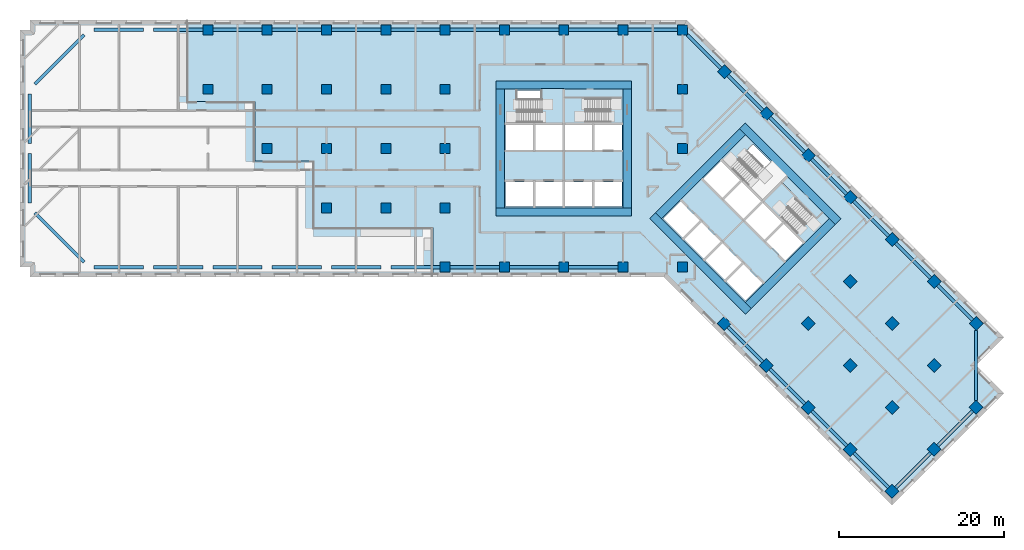
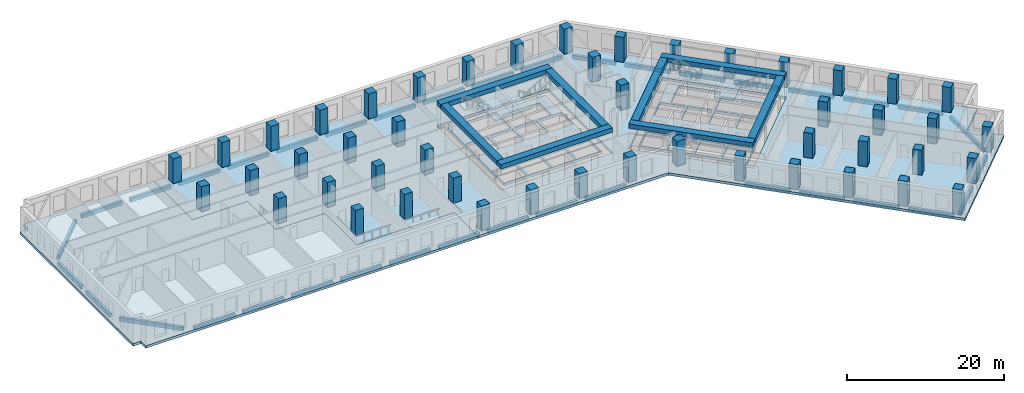
# One storey, part 1 of 12: 48 columns, 45 beams, 7 slabs, 22 openings, 3 elements without a shape of their own.
"""IFC4 building model written with IfcOpenShell, lengths in metres."""

from ifc_helpers import new_model, si_unit, direction, frame, origin, origin_2d, place, context, subcontext, project, spatial, polyline, rectangle, outline, extrude, material, layer, layer_set, material_profile, profile_set, type_object, element, aggregate, save


model = new_model("IFC4")

# Units and contexts
model_context = context("Model", 3, precision=1e-05, world=origin(), true_north=direction((0.0, 1.0)))
body_context = subcontext(model_context, "Body", "Model", "MODEL_VIEW")
ifc_project = project(units=[si_unit("LENGTHUNIT", "METRE"), si_unit("AREAUNIT", "SQUARE_METRE"), si_unit("VOLUMEUNIT", "CUBIC_METRE"), si_unit("PLANEANGLEUNIT", "RADIAN"), si_unit("MASSUNIT", "GRAM", prefix="KILO")], contexts=[model_context])

# Site, building, storey
site_placement = place(None, origin())
site = spatial("IfcSite", under=ifc_project, at=site_placement, CompositionType="ELEMENT")
building_placement = place(site_placement, origin())
building = spatial("IfcBuilding", under=site, at=building_placement, Name="Windrow Commons", CompositionType="ELEMENT")
storey_placement = place(building_placement, frame((0.0, 0.0, 22.8)))
storey = spatial("IfcBuildingStorey", under=building, at=storey_placement, Name="L05", CompositionType="ELEMENT", Elevation=22.8)

# Columns
ifc_material_1 = material(Name="Concrete C60/75", Category="concrete")
ifc_material_profile_1 = material_profile(ifc_material_1, rectangle(XDim=1.2, YDim=1.2, at=origin_2d()))
ifc_profile_set_1 = profile_set([ifc_material_profile_1], Name="Concrete C60/75")
column_type = type_object("IfcColumnType", Name="RC COLUMN 1200x1200 C60/75", PredefinedType="COLUMN", material=ifc_profile_set_1)
for number, where, z_axis, x_axis, name in (
    (1, (21.6, 64.8, 0.0), (0.0, 0.0, 1.0), (1.0, 0.0, 0.0), "C-P-04I"),
    (2, (21.6, 72.0, 0.0), (0.0, 0.0, 1.0), (1.0, 0.0, 0.0), "C-P-04J"),
    (3, (28.8, 57.6, 0.0), (0.0, 0.0, 1.0), (1.0, 0.0, 0.0), "C-P-05H"),
    (4, (28.8, 64.8, 0.0), (0.0, 0.0, 1.0), (1.0, 0.0, 0.0), "C-P-05I"),
    (5, (28.8, 72.0, 0.0), (0.0, 0.0, 1.0), (1.0, 0.0, 0.0), "C-P-05J"),
    (6, (36.0, 50.4, 0.0), (0.0, 0.0, 1.0), (1.0, 0.0, 0.0), "C-P-06G"),
    (7, (36.0, 57.6, 0.0), (0.0, 0.0, 1.0), (1.0, 0.0, 0.0), "C-P-06H"),
    (8, (36.0, 64.8, 0.0), (0.0, 0.0, 1.0), (1.0, 0.0, 0.0), "C-P-06I"),
    (9, (36.0, 72.0, 0.0), (0.0, 0.0, 1.0), (1.0, 0.0, 0.0), "C-P-06J"),
    (10, (43.2, 50.4, 0.0), (0.0, 0.0, 1.0), (1.0, 0.0, 0.0), "C-P-07G"),
    (11, (43.2, 57.6, 0.0), (0.0, 0.0, 1.0), (1.0, 0.0, 0.0), "C-P-07H"),
    (12, (43.2, 64.8, 0.0), (0.0, 0.0, 1.0), (1.0, 0.0, 0.0), "C-P-07I"),
    (13, (43.2, 72.0, 0.0), (0.0, 0.0, 1.0), (1.0, 0.0, 0.0), "C-P-07J"),
    (14, (50.4, 43.2, 0.0), (0.0, 0.0, 1.0), (1.0, 0.0, 0.0), "C-P-08F"),
    (15, (50.4, 50.4, 0.0), (0.0, 0.0, 1.0), (1.0, 0.0, 0.0), "C-P-08G"),
    (16, (50.4, 57.6, 0.0), (0.0, 0.0, 1.0), (1.0, 0.0, 0.0), "C-P-08H"),
    (17, (50.4, 64.8, 0.0), (0.0, 0.0, 1.0), (1.0, 0.0, 0.0), "C-P-08I"),
    (18, (50.4, 72.0, 0.0), (0.0, 0.0, 1.0), (1.0, 0.0, 0.0), "C-P-08J"),
    (19, (57.6, 43.2, 0.0), (0.0, 0.0, 1.0), (1.0, 0.0, 0.0), "C-P-09F"),
    (20, (57.6, 72.0, 0.0), (0.0, 0.0, 1.0), (1.0, 0.0, 0.0), "C-P-09J"),
    (21, (64.8, 43.2, 0.0), (0.0, 0.0, 1.0), (1.0, 0.0, 0.0), "C-P-10F"),
    (22, (64.8, 72.0, 0.0), (0.0, 0.0, 1.0), (1.0, 0.0, 0.0), "C-P-10J"),
    (23, (72.0, 43.2, 0.0), (0.0, 0.0, 1.0), (1.0, 0.0, 0.0), "C-P-11F"),
    (24, (72.0, 72.0, 0.0), (0.0, 0.0, 1.0), (1.0, 0.0, 0.0), "C-P-11J"),
    (25, (79.2, 43.2, 0.0), (0.0, 0.0, 1.0), (1.0, 0.0, 0.0), "C-P-12F"),
    (26, (79.2, 57.6, 0.0), (0.0, 0.0, 1.0), (1.0, 0.0, 0.0), "C-P-12H"),
    (27, (79.2, 64.8, 0.0), (0.0, 0.0, 1.0), (1.0, 0.0, 0.0), "C-P-12I"),
    (28, (79.2, 72.0, 0.0), (0.0, 0.0, 1.0), (1.0, 0.0, 0.0), "C-P-12J"),
    (29, (84.2912, 66.9088, 0.0), (0.0, 0.0, 1.0), (0.7071067812, -0.7071067812, 0.0), "C-P-P2Q"),
    (30, (89.3823, 61.8177, 0.0), (0.0, 0.0, 1.0), (0.7071067812, -0.7071067812, 0.0), "C-P-P3Q"),
    (31, (94.4735, 56.7265, 0.0), (0.0, 0.0, 1.0), (0.7071067812, -0.7071067812, 0.0), "C-P-P4Q"),
    (32, (99.5647, 51.6353, 0.0), (0.0, 0.0, 1.0), (0.7071067812, -0.7071067812, 0.0), "C-P-P5Q"),
    (33, (84.2912, 36.3618, 0.0), (0.0, 0.0, 1.0), (0.7071067812, -0.7071067812, 0.0), "C-P-P5T"),
    (34, (104.6558, 46.5442, 0.0), (0.0, 0.0, 1.0), (0.7071067812, -0.7071067812, 0.0), "C-P-P6Q"),
    (35, (99.5647, 41.453, 0.0), (0.0, 0.0, 1.0), (0.7071067812, -0.7071067812, 0.0), "C-P-P6R"),
    (36, (94.4735, 36.3618, 0.0), (0.0, 0.0, 1.0), (0.7071067812, -0.7071067812, 0.0), "C-P-P6S"),
    (37, (89.3823, 31.2706, 0.0), (0.0, 0.0, 1.0), (0.7071067812, -0.7071067812, 0.0), "C-P-P6T"),
    (38, (109.747, 41.453, 0.0), (0.0, 0.0, 1.0), (0.7071067812, -0.7071067812, 0.0), "C-P-P7Q"),
    (39, (104.6558, 36.3618, 0.0), (0.0, 0.0, 1.0), (0.7071067812, -0.7071067812, 0.0), "C-P-P7R"),
    (40, (99.5647, 31.2706, 0.0), (0.0, 0.0, 1.0), (0.7071067812, -0.7071067812, 0.0), "C-P-P7S"),
    (41, (94.4735, 26.1795, 0.0), (0.0, 0.0, 1.0), (0.7071067812, -0.7071067812, 0.0), "C-P-P7T"),
    (42, (114.8382, 36.3618, 0.0), (0.0, 0.0, 1.0), (0.7071067812, -0.7071067812, 0.0), "C-P-P8Q"),
    (43, (109.747, 31.2706, 0.0), (0.0, 0.0, 1.0), (0.7071067812, -0.7071067812, 0.0), "C-P-P8R"),
    (44, (104.6558, 26.1795, 0.0), (0.0, 0.0, 1.0), (0.7071067812, -0.7071067812, 0.0), "C-P-P8S"),
    (45, (99.5647, 21.0883, 0.0), (0.0, 0.0, 1.0), (0.7071067812, -0.7071067812, 0.0), "C-P-P8T"),
    (46, (114.8382, 26.1795, 0.0), (0.0, 0.0, 1.0), (0.7071067812, -0.7071067812, 0.0), "C-P-P9R"),
    (47, (109.747, 21.0883, 0.0), (0.0, 0.0, 1.0), (0.7071067812, -0.7071067812, 0.0), "C-P-P9S"),
    (48, (104.6558, 15.9971, 0.0), (0.0, 0.0, 1.0), (0.7071067812, -0.7071067812, 0.0), "C-P-P9T"),
):
    element("IfcColumn", number, at=place(storey_placement, frame(where, z_axis=z_axis, x_axis=x_axis)), inside=storey, type_object=column_type, Name=name, PredefinedType="COLUMN", context=body_context, shape_type="SweptSolid", body=[
        extrude(rectangle(XDim=1.2, YDim=1.2, at=origin_2d()), origin(), (0.0, 0.0, 1.0), 3.9),
    ])

# Beams
ifc_material_2 = material(Name="Concrete C60/75", Category="concrete")
ifc_material_profile_2 = material_profile(ifc_material_2, rectangle(XDim=1.0, YDim=0.7, at=origin_2d()))
ifc_profile_set_2 = profile_set([ifc_material_profile_2], Name="Concrete C60/75")
beam_type_1 = type_object("IfcBeamType", Name="RC COUPLING BEAM 1000x700 C60/75", PredefinedType="LINTEL", material=ifc_profile_set_2)
for number, where, z_axis, x_axis, name in (
    (49, (56.6, 49.9, 3.55), (1.0, 0.0, 0.0), (0.0, 1.0, 0.0), "Core A coupling beam outer-S"),
    (50, (56.6, 65.3, 3.55), (1.0, 0.0, 0.0), (0.0, 1.0, 0.0), "Core A coupling beam outer-N"),
):
    element("IfcBeam", number, at=place(storey_placement, frame(where, z_axis=z_axis, x_axis=x_axis)), inside=storey, type_object=beam_type_1, Name=name, PredefinedType="LINTEL", context=body_context, shape_type="SweptSolid", body=[
        extrude(rectangle(XDim=1.0, YDim=0.7, at=origin_2d()), origin(), (0.0, 0.0, 1.0), 16.4),
    ])
for number, where, z_axis, x_axis, name in (
    (51, (57.1, 50.4, 3.55), (0.0, 1.0, 0.0), (-1.0, 0.0, 0.0), "Core A coupling beam outer-W"),
    (52, (72.5, 50.4, 3.55), (0.0, 1.0, 0.0), (-1.0, 0.0, 0.0), "Core A coupling beam outer-E"),
):
    element("IfcBeam", number, at=place(storey_placement, frame(where, z_axis=z_axis, x_axis=x_axis)), inside=storey, type_object=beam_type_1, Name=name, PredefinedType="LINTEL", context=body_context, shape_type="SweptSolid", body=[
        extrude(rectangle(XDim=1.0, YDim=0.7, at=origin_2d()), origin(), (0.0, 0.0, 1.0), 14.4),
    ])
for number, where, z_axis, x_axis, name in (
    (53, (75.5938, 49.4433, 3.55), (0.7071037324, -0.70710983, 0.0), (0.70710983, 0.7071037324, 0.0), "Core B coupling beam outer-S"),
    (54, (86.4832, 60.3327, 3.55), (0.70710983, -0.7071037324, 0.0), (0.7071037324, 0.70710983, 0.0), "Core B coupling beam outer-N"),
):
    element("IfcBeam", number, at=place(storey_placement, frame(where, z_axis=z_axis, x_axis=x_axis)), inside=storey, type_object=beam_type_1, Name=name, PredefinedType="LINTEL", context=body_context, shape_type="SweptSolid", body=[
        extrude(rectangle(XDim=1.0, YDim=0.7, at=origin_2d()), origin(), (0.0, 0.0, 1.0), 16.4),
    ])
beam_1_placement = place(storey_placement, frame((76.3009, 49.4433, 3.55), z_axis=(0.7071067812, 0.7071067812, 0.0), x_axis=(-0.7071067812, 0.7071067812, 0.0)))
element("IfcBeam", 55, at=beam_1_placement, inside=storey, type_object=beam_type_1, Name="Core B coupling beam outer-W", PredefinedType="LINTEL", context=body_context, shape_type="SweptSolid", body=[
    extrude(rectangle(XDim=1.0, YDim=0.7, at=origin_2d()), origin(), (0.0, 0.0, 1.0), 14.3999),
])
beam_2_placement = place(storey_placement, frame((87.1903, 38.5538, 3.55), z_axis=(0.707103309, 0.7071102534, 0.0), x_axis=(-0.7071102534, 0.707103309, 0.0)))
element("IfcBeam", 56, at=beam_2_placement, inside=storey, type_object=beam_type_1, Name="Core B coupling beam outer-E", PredefinedType="LINTEL", context=body_context, shape_type="SweptSolid", body=[
    extrude(rectangle(XDim=1.0, YDim=0.7, at=origin_2d()), origin(), (0.0, 0.0, 1.0), 14.4),
])
ifc_material_3 = material(Name="Concrete C60/75", Category="concrete")
ifc_material_profile_3 = material_profile(ifc_material_3, rectangle(XDim=0.4, YDim=0.6, at=origin_2d()))
ifc_profile_set_3 = profile_set([ifc_material_profile_3], Name="Concrete C60/75")
beam_type_2 = type_object("IfcBeamType", Name="RC EDGE BEAM 400x600 C60/75", PredefinedType="SPANDREL", material=ifc_profile_set_3)
for number, where, z_axis, x_axis, name in (
    (57, (28.2, 43.2, -0.7), (-1.0, 0.0, 0.0), (0.0, -1.0, 0.0), "Edge beam L05 001"),
    (58, (21.0, 43.2, -0.7), (-1.0, 0.0, 0.0), (0.0, -1.0, 0.0), "Edge beam L05 002"),
    (59, (13.8, 43.2, -0.7), (-1.0, 0.0, 0.0), (0.0, -1.0, 0.0), "Edge beam L05 003"),
):
    element("IfcBeam", number, at=place(storey_placement, frame(where, z_axis=z_axis, x_axis=x_axis)), inside=storey, type_object=beam_type_2, Name=name, PredefinedType="SPANDREL", context=body_context, shape_type="SweptSolid", body=[
        extrude(rectangle(XDim=0.4, YDim=0.6, at=origin_2d()), origin(), (0.0, 0.0, 1.0), 6.0),
    ])
beam_3_placement = place(storey_placement, frame((6.6, 43.8, -0.7), z_axis=(-0.7071067812, 0.7071067812, 0.0), x_axis=(-0.7071067812, -0.7071067812, 0.0)))
element("IfcBeam", 60, at=beam_3_placement, inside=storey, type_object=beam_type_2, Name="Edge beam L05 004", PredefinedType="SPANDREL", context=body_context, shape_type="SweptSolid", body=[
    extrude(rectangle(XDim=0.4, YDim=0.6, at=origin_2d()), origin(), (0.0, 0.0, 1.0), 8.4853),
])
for number, where, z_axis, x_axis, name in (
    (61, (0.0, 51.0, -0.7), (0.0, 1.0, 0.0), (-1.0, 0.0, 0.0), "Edge beam L05 005"),
    (62, (0.0, 58.2, -0.7), (0.0, 1.0, 0.0), (-1.0, 0.0, 0.0), "Edge beam L05 006"),
):
    element("IfcBeam", number, at=place(storey_placement, frame(where, z_axis=z_axis, x_axis=x_axis)), inside=storey, type_object=beam_type_2, Name=name, PredefinedType="SPANDREL", context=body_context, shape_type="SweptSolid", body=[
        extrude(rectangle(XDim=0.4, YDim=0.6, at=origin_2d()), origin(), (0.0, 0.0, 1.0), 6.0),
    ])
beam_4_placement = place(storey_placement, frame((0.6, 65.4, -0.7), z_axis=(0.7071067812, 0.7071067812, 0.0), x_axis=(-0.7071067812, 0.7071067812, 0.0)))
element("IfcBeam", 63, at=beam_4_placement, inside=storey, type_object=beam_type_2, Name="Edge beam L05 007", PredefinedType="SPANDREL", context=body_context, shape_type="SweptSolid", body=[
    extrude(rectangle(XDim=0.4, YDim=0.6, at=origin_2d()), origin(), (0.0, 0.0, 1.0), 8.4853),
])
for number, where, z_axis, x_axis, name in (
    (64, (7.8, 72.0, -0.7), (1.0, 0.0, 0.0), (0.0, 1.0, 0.0), "Edge beam L05 008"),
    (65, (15.0, 72.0, -0.7), (1.0, 0.0, 0.0), (0.0, 1.0, 0.0), "Edge beam L05 009"),
    (66, (22.2, 72.0, -0.7), (1.0, 0.0, 0.0), (0.0, 1.0, 0.0), "Edge beam L05 010"),
    (67, (29.4, 72.0, -0.7), (1.0, 0.0, 0.0), (0.0, 1.0, 0.0), "Edge beam L05 011"),
    (68, (36.6, 72.0, -0.7), (1.0, 0.0, 0.0), (0.0, 1.0, 0.0), "Edge beam L05 012"),
    (69, (43.8, 72.0, -0.7), (1.0, 0.0, 0.0), (0.0, 1.0, 0.0), "Edge beam L05 013"),
    (70, (51.0, 72.0, -0.7), (1.0, 0.0, 0.0), (0.0, 1.0, 0.0), "Edge beam L05 014"),
    (71, (58.2, 72.0, -0.7), (1.0, 0.0, 0.0), (0.0, 1.0, 0.0), "Edge beam L05 015"),
    (72, (65.4, 72.0, -0.7), (1.0, 0.0, 0.0), (0.0, 1.0, 0.0), "Edge beam L05 016"),
    (73, (72.6, 72.0, -0.7), (1.0, 0.0, 0.0), (0.0, 1.0, 0.0), "Edge beam L05 017"),
):
    element("IfcBeam", number, at=place(storey_placement, frame(where, z_axis=z_axis, x_axis=x_axis)), inside=storey, type_object=beam_type_2, Name=name, PredefinedType="SPANDREL", context=body_context, shape_type="SweptSolid", body=[
        extrude(rectangle(XDim=0.4, YDim=0.6, at=origin_2d()), origin(), (0.0, 0.0, 1.0), 6.0),
    ])
beam_5_placement = place(storey_placement, frame((79.8, 71.4, -0.7), z_axis=(0.7071067812, -0.7071067812, 0.0), x_axis=(0.7071067812, 0.7071067812, 0.0)))
element("IfcBeam", 74, at=beam_5_placement, inside=storey, type_object=beam_type_2, Name="Edge beam L05 018", PredefinedType="SPANDREL", context=body_context, shape_type="SweptSolid", body=[
    extrude(rectangle(XDim=0.4, YDim=0.6, at=origin_2d()), origin(), (0.0, 0.0, 1.0), 5.7515),
])
beam_6_placement = place(storey_placement, frame((84.7155, 66.4845, -0.7), z_axis=(0.7071067812, -0.7071067812, 0.0), x_axis=(0.7071067812, 0.7071067812, 0.0)))
element("IfcBeam", 75, at=beam_6_placement, inside=storey, type_object=beam_type_2, Name="Edge beam L05 019", PredefinedType="SPANDREL", context=body_context, shape_type="SweptSolid", body=[
    extrude(rectangle(XDim=0.4, YDim=0.6, at=origin_2d()), origin(), (0.0, 0.0, 1.0), 5.9998),
])
for number, where, z_axis, x_axis, name in (
    (76, (89.8066, 61.3934, -0.7), (0.7071067812, -0.7071067812, 0.0), (0.7071067812, 0.7071067812, 0.0), "Edge beam L05 020"),
    (77, (94.8978, 56.3022, -0.7), (0.7071067812, -0.7071067812, 0.0), (0.7071067812, 0.7071067812, 0.0), "Edge beam L05 021"),
):
    element("IfcBeam", number, at=place(storey_placement, frame(where, z_axis=z_axis, x_axis=x_axis)), inside=storey, type_object=beam_type_2, Name=name, PredefinedType="SPANDREL", context=body_context, shape_type="SweptSolid", body=[
        extrude(rectangle(XDim=0.4, YDim=0.6, at=origin_2d()), origin(), (0.0, 0.0, 1.0), 5.9999),
    ])
beam_7_placement = place(storey_placement, frame((99.989, 51.211, -0.7), z_axis=(0.7071067812, -0.7071067812, 0.0), x_axis=(0.7071067812, 0.7071067812, 0.0)))
element("IfcBeam", 78, at=beam_7_placement, inside=storey, type_object=beam_type_2, Name="Edge beam L05 022", PredefinedType="SPANDREL", context=body_context, shape_type="SweptSolid", body=[
    extrude(rectangle(XDim=0.4, YDim=0.6, at=origin_2d()), origin(), (0.0, 0.0, 1.0), 5.9998),
])
for number, where, z_axis, x_axis, name in (
    (79, (105.0801, 46.1199, -0.7), (0.7071067812, -0.7071067812, 0.0), (0.7071067812, 0.7071067812, 0.0), "Edge beam L05 023"),
    (80, (110.1713, 41.0287, -0.7), (0.7071067812, -0.7071067812, 0.0), (0.7071067812, 0.7071067812, 0.0), "Edge beam L05 024"),
):
    element("IfcBeam", number, at=place(storey_placement, frame(where, z_axis=z_axis, x_axis=x_axis)), inside=storey, type_object=beam_type_2, Name=name, PredefinedType="SPANDREL", context=body_context, shape_type="SweptSolid", body=[
        extrude(rectangle(XDim=0.4, YDim=0.6, at=origin_2d()), origin(), (0.0, 0.0, 1.0), 5.9999),
    ])
beam_8_placement = place(storey_placement, frame((114.8382, 35.5133, -0.7), z_axis=(0.0, -1.0, 0.0), x_axis=(1.0, 0.0, 0.0)))
element("IfcBeam", 81, at=beam_8_placement, inside=storey, type_object=beam_type_2, Name="Edge beam L05 025", PredefinedType="SPANDREL", context=body_context, shape_type="SweptSolid", body=[
    extrude(rectangle(XDim=0.4, YDim=0.6, at=origin_2d()), origin(), (0.0, 0.0, 1.0), 8.4853),
])
for number, where, z_axis, x_axis, name in (
    (82, (114.4139, 25.7552, -0.7), (-0.7071067812, -0.7071067812, 0.0), (0.7071067812, -0.7071067812, 0.0), "Edge beam L05 026"),
    (83, (109.3227, 20.664, -0.7), (-0.7071067812, -0.7071067812, 0.0), (0.7071067812, -0.7071067812, 0.0), "Edge beam L05 027"),
    (84, (104.2315, 16.4214, -0.7), (-0.7070984476, 0.7071151146, 0.0), (-0.7071151146, -0.7070984476, 0.0), "Edge beam L05 028"),
    (85, (99.1404, 21.5126, -0.7), (-0.7071067812, 0.7071067812, 0.0), (-0.7071067812, -0.7071067812, 0.0), "Edge beam L05 029"),
    (86, (94.0492, 26.6038, -0.7), (-0.7071151146, 0.7070984476, 0.0), (-0.7070984476, -0.7071151146, 0.0), "Edge beam L05 030"),
    (87, (88.958, 31.6949, -0.7), (-0.7070984476, 0.7071151146, 0.0), (-0.7071151146, -0.7070984476, 0.0), "Edge beam L05 031"),
):
    element("IfcBeam", number, at=place(storey_placement, frame(where, z_axis=z_axis, x_axis=x_axis)), inside=storey, type_object=beam_type_2, Name=name, PredefinedType="SPANDREL", context=body_context, shape_type="SweptSolid", body=[
        extrude(rectangle(XDim=0.4, YDim=0.6, at=origin_2d()), origin(), (0.0, 0.0, 1.0), 5.9999),
    ])
for number, where, z_axis, x_axis, name in (
    (88, (71.4, 43.2, -0.7), (-1.0, 0.0, 0.0), (0.0, -1.0, 0.0), "Edge beam L05 032"),
    (89, (64.2, 43.2, -0.7), (-1.0, 0.0, 0.0), (0.0, -1.0, 0.0), "Edge beam L05 033"),
    (90, (57.0, 43.2, -0.7), (-1.0, 0.0, 0.0), (0.0, -1.0, 0.0), "Edge beam L05 034"),
    (91, (49.8, 43.2, -0.7), (-1.0, 0.0, 0.0), (0.0, -1.0, 0.0), "Edge beam L05 035"),
    (92, (42.6, 43.2, -0.7), (-1.0, 0.0, 0.0), (0.0, -1.0, 0.0), "Edge beam L05 036"),
    (93, (35.4, 43.2, -0.7), (-1.0, 0.0, 0.0), (0.0, -1.0, 0.0), "Edge beam L05 037"),
):
    element("IfcBeam", number, at=place(storey_placement, frame(where, z_axis=z_axis, x_axis=x_axis)), inside=storey, type_object=beam_type_2, Name=name, PredefinedType="SPANDREL", context=body_context, shape_type="SweptSolid", body=[
        extrude(rectangle(XDim=0.4, YDim=0.6, at=origin_2d()), origin(), (0.0, 0.0, 1.0), 6.0),
    ])

# Slab, openings
ifc_material_4 = material(Name="Concrete C60/75", Category="concrete")
ifc_layer_1 = layer(ifc_material_4, 0.4)
ifc_layer_set_1 = layer_set([ifc_layer_1], Name="CORE FLOOR SLAB 400 C60/75")
slab_type_1 = type_object("IfcSlabType", Name="CORE FLOOR SLAB 400 C60/75", PredefinedType="FLOOR", material=ifc_layer_set_1)
placement_1 = place(storey_placement, frame((0.0, 0.0, -0.4)))
slab_1 = element("IfcSlab", 94, at=placement_1, inside=storey, type_object=slab_type_1, Name="S-L05-core-A", PredefinedType="FLOOR", context=body_context, shape_type="SweptSolid", body=[
    extrude(outline(polyline([(57.6, 50.4), (72.0, 50.4), (72.0, 64.8), (57.6, 64.8), (57.6, 50.4)]), holes=[polyline([(57.75, 50.55), (61.05, 50.55), (61.05, 53.55), (57.75, 53.55), (57.75, 50.55)]), polyline([(61.35, 50.55), (64.65, 50.55), (64.65, 53.55), (61.35, 53.55), (61.35, 50.55)]), polyline([(64.95, 50.55), (68.25, 50.55), (68.25, 53.55), (64.95, 53.55), (64.95, 50.55)]), polyline([(68.55, 50.55), (71.85, 50.55), (71.85, 53.55), (68.55, 53.55), (68.55, 50.55)]), polyline([(57.75, 57.45), (61.05, 57.45), (61.05, 60.45), (57.75, 60.45), (57.75, 57.45)]), polyline([(61.35, 57.45), (64.65, 57.45), (64.65, 60.45), (61.35, 60.45), (61.35, 57.45)]), polyline([(64.95, 57.45), (68.25, 57.45), (68.25, 60.45), (64.95, 60.45), (64.95, 57.45)]), polyline([(68.55, 57.45), (71.85, 57.45), (71.85, 60.45), (68.55, 60.45), (68.55, 57.45)]), polyline([(59.1, 60.75), (64.65, 60.75), (64.65, 64.65), (59.1, 64.65), (59.1, 60.75)]), polyline([(64.95, 60.75), (70.5, 60.75), (70.5, 63.705), (64.95, 63.705), (64.95, 60.75)])]), origin(), (0.0, 0.0, 1.0), 0.4),
])
opening_1_placement = place(placement_1, origin())
element("IfcOpeningElement", 95, at=opening_1_placement, cuts=slab_1, Name="Slab opening S-L05-core-A 1", PredefinedType="OPENING", context=body_context, shape_type="SweptSolid", body=[
    extrude(outline(polyline([(57.755, 50.555), (57.755, 53.545), (61.045, 53.545), (61.045, 50.555), (57.755, 50.555)])), origin(), (0.0, 0.0, 1.0), 0.4),
])
opening_2_placement = place(placement_1, origin())
element("IfcOpeningElement", 96, at=opening_2_placement, cuts=slab_1, Name="Slab opening S-L05-core-A 2", PredefinedType="OPENING", context=body_context, shape_type="SweptSolid", body=[
    extrude(outline(polyline([(61.355, 50.555), (61.355, 53.545), (64.645, 53.545), (64.645, 50.555), (61.355, 50.555)])), origin(), (0.0, 0.0, 1.0), 0.4),
])
opening_3_placement = place(placement_1, origin())
element("IfcOpeningElement", 97, at=opening_3_placement, cuts=slab_1, Name="Slab opening S-L05-core-A 3", PredefinedType="OPENING", context=body_context, shape_type="SweptSolid", body=[
    extrude(outline(polyline([(64.955, 50.555), (64.955, 53.545), (68.245, 53.545), (68.245, 50.555), (64.955, 50.555)])), origin(), (0.0, 0.0, 1.0), 0.4),
])
opening_4_placement = place(placement_1, origin())
element("IfcOpeningElement", 98, at=opening_4_placement, cuts=slab_1, Name="Slab opening S-L05-core-A 4", PredefinedType="OPENING", context=body_context, shape_type="SweptSolid", body=[
    extrude(outline(polyline([(68.555, 50.555), (68.555, 53.545), (71.845, 53.545), (71.845, 50.555), (68.555, 50.555)])), origin(), (0.0, 0.0, 1.0), 0.4),
])
opening_5_placement = place(placement_1, origin())
element("IfcOpeningElement", 99, at=opening_5_placement, cuts=slab_1, Name="Slab opening S-L05-core-A 5", PredefinedType="OPENING", context=body_context, shape_type="SweptSolid", body=[
    extrude(outline(polyline([(57.755, 57.455), (57.755, 60.445), (61.045, 60.445), (61.045, 57.455), (57.755, 57.455)])), origin(), (0.0, 0.0, 1.0), 0.4),
])
opening_6_placement = place(placement_1, origin())
element("IfcOpeningElement", 100, at=opening_6_placement, cuts=slab_1, Name="Slab opening S-L05-core-A 6", PredefinedType="OPENING", context=body_context, shape_type="SweptSolid", body=[
    extrude(outline(polyline([(61.355, 57.455), (61.355, 60.445), (64.645, 60.445), (64.645, 57.455), (61.355, 57.455)])), origin(), (0.0, 0.0, 1.0), 0.4),
])
opening_7_placement = place(placement_1, origin())
element("IfcOpeningElement", 101, at=opening_7_placement, cuts=slab_1, Name="Slab opening S-L05-core-A 7", PredefinedType="OPENING", context=body_context, shape_type="SweptSolid", body=[
    extrude(outline(polyline([(64.955, 57.455), (64.955, 60.445), (68.245, 60.445), (68.245, 57.455), (64.955, 57.455)])), origin(), (0.0, 0.0, 1.0), 0.4),
])
opening_8_placement = place(placement_1, origin())
element("IfcOpeningElement", 102, at=opening_8_placement, cuts=slab_1, Name="Slab opening S-L05-core-A 8", PredefinedType="OPENING", context=body_context, shape_type="SweptSolid", body=[
    extrude(outline(polyline([(68.555, 57.455), (68.555, 60.445), (71.845, 60.445), (71.845, 57.455), (68.555, 57.455)])), origin(), (0.0, 0.0, 1.0), 0.4),
])
opening_9_placement = place(placement_1, origin())
element("IfcOpeningElement", 103, at=opening_9_placement, cuts=slab_1, Name="Slab opening S-L05-core-A 9", PredefinedType="OPENING", context=body_context, shape_type="SweptSolid", body=[
    extrude(outline(polyline([(59.105, 60.755), (59.105, 64.645), (64.645, 64.645), (64.645, 60.755), (59.105, 60.755)])), origin(), (0.0, 0.0, 1.0), 0.4),
])
opening_10_placement = place(placement_1, origin())
element("IfcOpeningElement", 104, at=opening_10_placement, cuts=slab_1, Name="Slab opening S-L05-core-A 10", PredefinedType="OPENING", context=body_context, shape_type="SweptSolid", body=[
    extrude(outline(polyline([(64.955, 60.755), (64.955, 63.7), (70.495, 63.7), (70.495, 60.755), (64.955, 60.755)])), origin(), (0.0, 0.0, 1.0), 0.4),
])

slab_2 = element("IfcSlab", 105, at=placement_1, inside=storey, type_object=slab_type_1, Name="S-L05-core-B", PredefinedType="FLOOR", context=body_context, shape_type="SweptSolid", body=[
    extrude(outline(polyline([(76.6544, 49.0897), (86.8368, 38.9074), (97.0191, 49.0897), (86.8368, 59.2721), (76.6544, 49.0897)]), holes=[polyline([(76.8665, 49.0897), (79.2, 46.7563), (81.3213, 48.8776), (78.9879, 51.2111), (76.8665, 49.0897)]), polyline([(79.4121, 46.5442), (81.7456, 44.2107), (83.8669, 46.332), (81.5335, 48.6655), (79.4121, 46.5442)]), polyline([(81.9577, 43.9986), (84.2912, 41.6651), (86.4125, 43.7864), (84.079, 46.1199), (81.9577, 43.9986)]), polyline([(84.5033, 41.453), (86.8368, 39.1195), (88.9581, 41.2409), (86.6246, 43.5743), (84.5033, 41.453)]), polyline([(81.7456, 53.9688), (84.079, 51.6353), (86.2004, 53.7566), (83.8669, 56.0901), (81.7456, 53.9688)]), polyline([(84.2912, 51.4232), (86.6246, 49.0897), (88.7459, 51.2111), (86.4125, 53.5445), (84.2912, 51.4232)]), polyline([(86.8368, 48.8776), (89.1702, 46.5442), (91.2915, 48.6655), (88.9581, 50.9989), (86.8368, 48.8776)]), polyline([(89.3823, 46.332), (91.7158, 43.9986), (93.8371, 46.1199), (91.5037, 48.4533), (89.3823, 46.332)]), polyline([(85.0336, 55.3476), (88.9581, 51.4232), (91.7158, 54.1809), (87.7913, 58.1054), (85.0336, 55.3476)]), polyline([(89.1702, 51.2111), (93.0946, 47.2866), (95.1841, 49.3761), (91.2597, 53.3006), (89.1702, 51.2111)])]), origin(), (0.0, 0.0, 1.0), 0.4),
])
opening_11_placement = place(placement_1, origin())
element("IfcOpeningElement", 106, at=opening_11_placement, cuts=slab_2, Name="Slab opening S-L05-core-B 1", PredefinedType="OPENING", context=body_context, shape_type="SweptSolid", body=[
    extrude(outline(polyline([(76.8736, 49.0897), (78.9879, 51.204), (81.3142, 48.8776), (79.2, 46.7634), (76.8736, 49.0897)])), origin(), (0.0, 0.0, 1.0), 0.4),
])
opening_12_placement = place(placement_1, origin())
element("IfcOpeningElement", 107, at=opening_12_placement, cuts=slab_2, Name="Slab opening S-L05-core-B 2", PredefinedType="OPENING", context=body_context, shape_type="SweptSolid", body=[
    extrude(outline(polyline([(79.4192, 46.5442), (81.5335, 48.6584), (83.8598, 46.332), (81.7456, 44.2178), (79.4192, 46.5442)])), origin(), (0.0, 0.0, 1.0), 0.4),
])
opening_13_placement = place(placement_1, origin())
element("IfcOpeningElement", 108, at=opening_13_placement, cuts=slab_2, Name="Slab opening S-L05-core-B 3", PredefinedType="OPENING", context=body_context, shape_type="SweptSolid", body=[
    extrude(outline(polyline([(81.9648, 43.9986), (84.079, 46.1128), (86.4054, 43.7864), (84.2912, 41.6722), (81.9648, 43.9986)])), origin(), (0.0, 0.0, 1.0), 0.4),
])
opening_14_placement = place(placement_1, origin())
element("IfcOpeningElement", 109, at=opening_14_placement, cuts=slab_2, Name="Slab opening S-L05-core-B 4", PredefinedType="OPENING", context=body_context, shape_type="SweptSolid", body=[
    extrude(outline(polyline([(84.5104, 41.453), (86.6246, 43.5672), (88.951, 41.2409), (86.8368, 39.1266), (84.5104, 41.453)])), origin(), (0.0, 0.0, 1.0), 0.4),
])
opening_15_placement = place(placement_1, origin())
element("IfcOpeningElement", 110, at=opening_15_placement, cuts=slab_2, Name="Slab opening S-L05-core-B 5", PredefinedType="OPENING", context=body_context, shape_type="SweptSolid", body=[
    extrude(outline(polyline([(81.7527, 53.9688), (83.8669, 56.083), (86.1933, 53.7566), (84.079, 51.6424), (81.7527, 53.9688)])), origin(), (0.0, 0.0, 1.0), 0.4),
])
opening_16_placement = place(placement_1, origin())
element("IfcOpeningElement", 111, at=opening_16_placement, cuts=slab_2, Name="Slab opening S-L05-core-B 6", PredefinedType="OPENING", context=body_context, shape_type="SweptSolid", body=[
    extrude(outline(polyline([(84.2983, 51.4232), (86.4125, 53.5374), (88.7388, 51.2111), (86.6246, 49.0968), (84.2983, 51.4232)])), origin(), (0.0, 0.0, 1.0), 0.4),
])
opening_17_placement = place(placement_1, origin())
element("IfcOpeningElement", 112, at=opening_17_placement, cuts=slab_2, Name="Slab opening S-L05-core-B 7", PredefinedType="OPENING", context=body_context, shape_type="SweptSolid", body=[
    extrude(outline(polyline([(86.8439, 48.8776), (88.9581, 50.9918), (91.2844, 48.6655), (89.1702, 46.5513), (86.8439, 48.8776)])), origin(), (0.0, 0.0, 1.0), 0.4),
])
opening_18_placement = place(placement_1, origin())
element("IfcOpeningElement", 113, at=opening_18_placement, cuts=slab_2, Name="Slab opening S-L05-core-B 8", PredefinedType="OPENING", context=body_context, shape_type="SweptSolid", body=[
    extrude(outline(polyline([(89.3894, 46.332), (91.5037, 48.4462), (93.83, 46.1199), (91.7158, 44.0057), (89.3894, 46.332)])), origin(), (0.0, 0.0, 1.0), 0.4),
])
opening_19_placement = place(placement_1, origin())
element("IfcOpeningElement", 114, at=opening_19_placement, cuts=slab_2, Name="Slab opening S-L05-core-B 9", PredefinedType="OPENING", context=body_context, shape_type="SweptSolid", body=[
    extrude(outline(polyline([(85.0407, 55.3476), (87.7913, 58.0983), (91.7087, 54.1809), (88.9581, 51.4303), (85.0407, 55.3476)])), origin(), (0.0, 0.0, 1.0), 0.4),
])
opening_20_placement = place(placement_1, origin())
element("IfcOpeningElement", 115, at=opening_20_placement, cuts=slab_2, Name="Slab opening S-L05-core-B 10", PredefinedType="OPENING", context=body_context, shape_type="SweptSolid", body=[
    extrude(outline(polyline([(89.1773, 51.2111), (91.2597, 53.2935), (95.177, 49.3761), (93.0946, 47.2937), (89.1773, 51.2111)])), origin(), (0.0, 0.0, 1.0), 0.4),
])

# Stair, slab
ifc_material_5 = material(Name="Concrete C40/50", Category="concrete")
stair_type = type_object("IfcStairType", Name="Core stair", PredefinedType="HALF_TURN_STAIR", material=ifc_material_5)
placement_2 = place(storey_placement, origin())
stair_1 = element("IfcStair", 116, at=placement_2, inside=storey, type_object=stair_type, Name="L05 Exit stair A1 core A", PredefinedType="HALF_TURN_STAIR")
ifc_material_6 = material(Name="Concrete C40/50", Category="concrete")
ifc_layer_2 = layer(ifc_material_6, 0.2)
ifc_layer_set_2 = layer_set([ifc_layer_2], Name="Core stair landing")
slab_type_2 = type_object("IfcSlabType", Name="Core stair landing", PredefinedType="LANDING", material=ifc_layer_set_2)
placement_3 = place(storey_placement, frame((0.0, 0.0, 1.9)))
slab_3 = element("IfcSlab", 117, at=placement_3, type_object=slab_type_2, Name="ST-A1 landing 1", PredefinedType="LANDING", context=body_context, shape_type="SweptSolid", body=[
    extrude(outline(polyline([(62.06, 60.5), (64.8, 60.5), (64.8, 64.9), (62.06, 64.9), (62.06, 60.5)])), origin(), (0.0, 0.0, 1.0), 0.2),
])
aggregate(stair_1, [slab_3])

stair_2 = element("IfcStair", 118, at=placement_2, inside=storey, type_object=stair_type, Name="L05 Exit stair A2 core A", PredefinedType="HALF_TURN_STAIR")
slab_4 = element("IfcSlab", 119, at=placement_3, type_object=slab_type_2, Name="ST-A2 landing 1", PredefinedType="LANDING", context=body_context, shape_type="SweptSolid", body=[
    extrude(outline(polyline([(64.8, 60.5), (67.54, 60.5), (67.54, 63.855), (64.8, 63.855), (64.8, 60.5)])), origin(), (0.0, 0.0, 1.0), 0.2),
])
aggregate(stair_2, [slab_4])

stair_3 = element("IfcStair", 120, at=placement_2, inside=storey, type_object=stair_type, Name="L05 Exit stair B2 core B", PredefinedType="HALF_TURN_STAIR")
slab_5 = element("IfcSlab", 121, at=placement_3, type_object=slab_type_2, Name="ST-B2 landing 1", PredefinedType="LANDING", context=body_context, shape_type="SweptSolid", body=[
    extrude(outline(polyline([(88.8874, 51.1403), (90.8248, 49.2029), (93.1971, 51.5752), (91.2597, 53.5127), (88.8874, 51.1403)])), origin(), (0.0, 0.0, 1.0), 0.2),
])
aggregate(stair_3, [slab_5])

# Slab, openings
ifc_material_7 = material(Name="Concrete C60/75", Category="concrete")
ifc_layer_3 = layer(ifc_material_7, 0.4)
ifc_layer_set_3 = layer_set([ifc_layer_3], Name="FLOOR SLAB 400 C60/75")
slab_type_3 = type_object("IfcSlabType", Name="FLOOR SLAB 400 C60/75", PredefinedType="FLOOR", material=ifc_layer_set_3)
slab_6 = element("IfcSlab", 122, at=placement_1, inside=storey, type_object=slab_type_3, Name="S-L05-floor", PredefinedType="FLOOR", context=body_context, shape_type="SweptSolid", body=[
    extrude(outline(polyline([(48.9, 42.0), (76.9559, 42.0), (104.6558, 14.3001), (118.2323, 27.8765), (114.8382, 31.2706), (118.2323, 34.6648), (79.6971, 73.2), (19.2, 73.2), (19.2, 63.3), (27.3, 63.3), (27.3, 56.1), (34.5, 56.1), (34.5, 48.0), (48.9, 48.0), (48.9, 42.0)]), holes=[polyline([(75.2402, 49.0897), (86.8368, 60.6863), (98.4333, 49.0897), (86.8368, 37.4932), (75.2402, 49.0897)]), polyline([(56.6, 49.4), (56.6, 65.8), (73.0, 65.8), (73.0, 49.4), (56.6, 49.4)])]), origin(), (0.0, 0.0, 1.0), 0.4),
])
opening_21_placement = place(placement_1, origin())
element("IfcOpeningElement", 123, at=opening_21_placement, cuts=slab_6, Name="Slab opening S-L05-floor 1", PredefinedType="OPENING", context=body_context, shape_type="SweptSolid", body=[
    extrude(outline(polyline([(75.2473, 49.0897), (86.8368, 60.6792), (98.4262, 49.0897), (86.8368, 37.5003), (75.2473, 49.0897)])), origin(), (0.0, 0.0, 1.0), 0.4),
])
opening_22_placement = place(placement_1, origin())
element("IfcOpeningElement", 124, at=opening_22_placement, cuts=slab_6, Name="Slab opening S-L05-floor 2", PredefinedType="OPENING", context=body_context, shape_type="SweptSolid", body=[
    extrude(outline(polyline([(56.605, 49.405), (56.605, 65.795), (72.995, 65.795), (72.995, 49.405), (56.605, 49.405)])), origin(), (0.0, 0.0, 1.0), 0.4),
])

# Slab
ifc_material_8 = material(Name="Concrete C60/75", Category="concrete")
ifc_layer_4 = layer(ifc_material_8, 0.4)
ifc_layer_set_4 = layer_set([ifc_layer_4], Name="TERRACE SLAB 400 C60/75")
slab_type_4 = type_object("IfcSlabType", Name="TERRACE SLAB 400 C60/75", PredefinedType="FLOOR", material=ifc_layer_set_4)
element("IfcSlab", 125, at=placement_1, inside=storey, type_object=slab_type_4, Name="Terrace slab TR-L05-1", PredefinedType="FLOOR", context=body_context, shape_type="SweptSolid", body=[
    extrude(outline(polyline([(0.0, 43.2), (0.0, 42.0), (48.9, 42.0), (48.9, 48.0), (34.5, 48.0), (34.5, 56.1), (27.3, 56.1), (27.3, 63.3), (19.2, 63.3), (19.2, 73.2), (0.0, 73.2), (0.0, 72.0), (-1.2, 72.0), (-1.2, 43.2), (0.0, 43.2)])), origin(), (0.0, 0.0, 1.0), 0.4),
])

save(model, "model.ifc")
